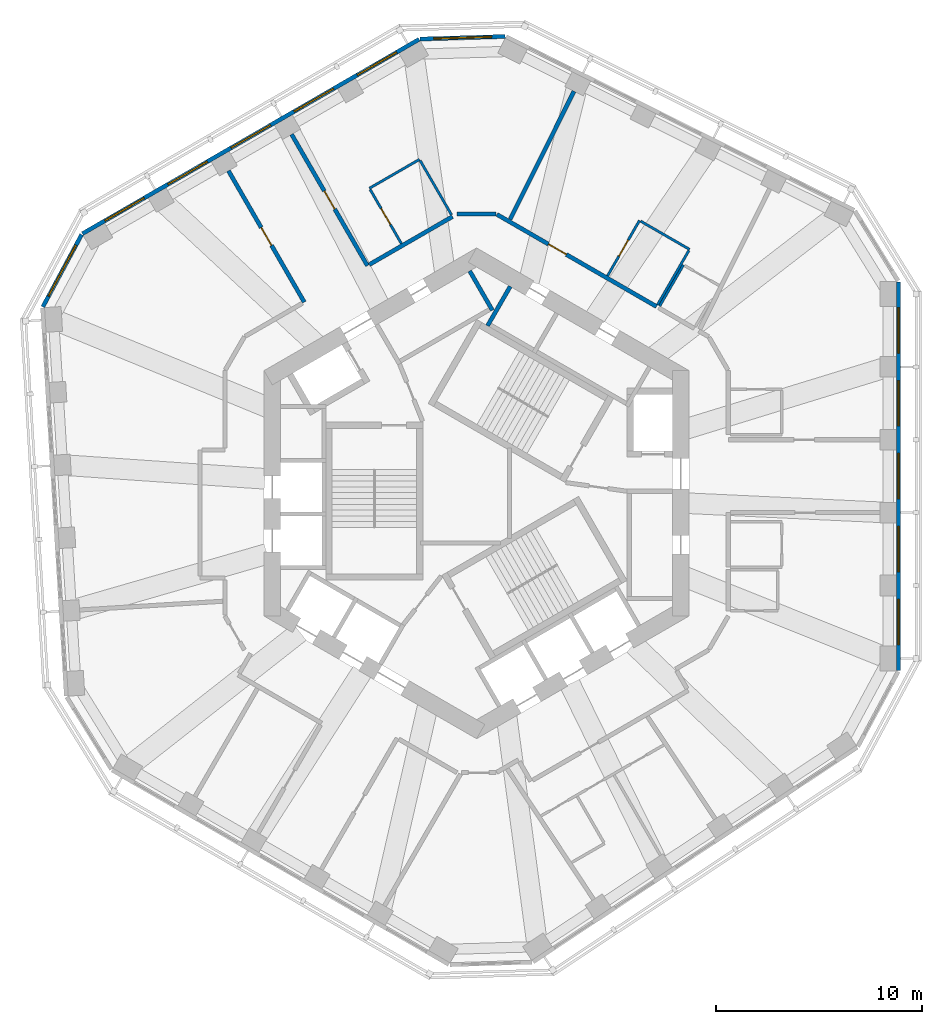
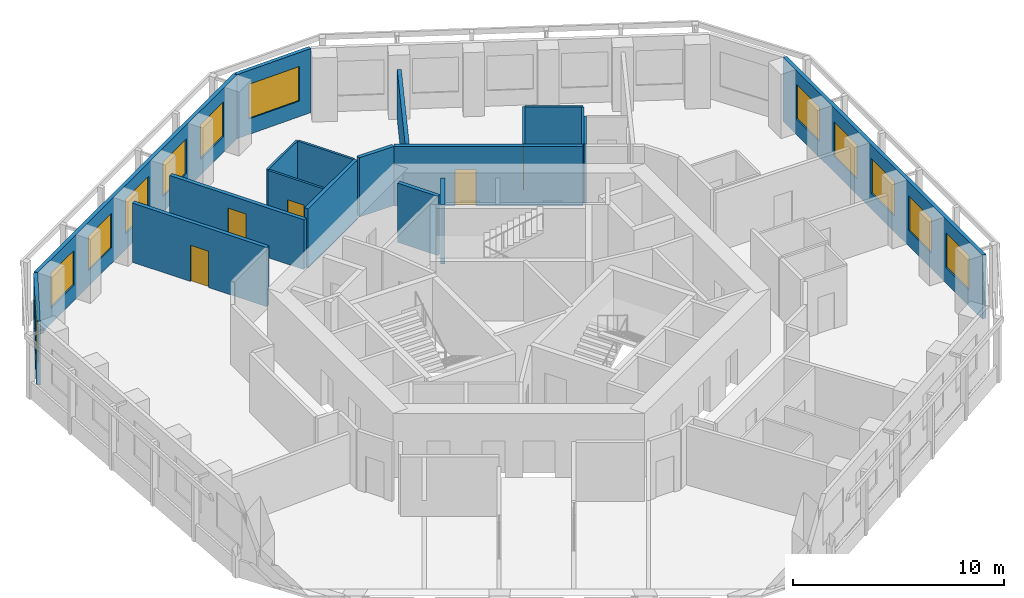
# One storey, part 7 of 11: 19 walls, 12 windows, 5 doors, 17 openings.
"""IFC4 building model written with IfcOpenShell, lengths in metres."""

from ifc_helpers import new_model, si_unit, direction, frame, frame_2d, origin, place, context, subcontext, project, spatial, rectangle, extrude, material, layer, layer_set, type_object, element, fill, save


model = new_model("IFC4")

# Units and contexts
model_context = context("Model", 3, precision=1e-05, world=origin(), true_north=direction((0.0, 1.0)))
body_context = subcontext(model_context, "Body", "Model", "MODEL_VIEW")
ifc_project = project(units=[si_unit("LENGTHUNIT", "METRE"), si_unit("AREAUNIT", "SQUARE_METRE"), si_unit("VOLUMEUNIT", "CUBIC_METRE"), si_unit("PLANEANGLEUNIT", "RADIAN"), si_unit("MASSUNIT", "GRAM", prefix="KILO")], contexts=[model_context])

# Site, building, storey
site_placement = place(None, origin())
site = spatial("IfcSite", under=ifc_project, at=site_placement, CompositionType="ELEMENT")
building_placement = place(site_placement, origin())
building = spatial("IfcBuilding", under=site, at=building_placement, Name="Vanh Sen Convention Tower", CompositionType="ELEMENT")
storey_placement = place(building_placement, frame((0.0, 0.0, 225.39990234375)))
storey = spatial("IfcBuildingStorey", under=building, at=storey_placement, Name="L55", CompositionType="ELEMENT", Elevation=225.39990234375)

# Wall
ifc_material_1 = material(Name="Moisture-resistant gypsum board on steel studs", Category="steel")
ifc_layer_1 = layer(ifc_material_1, 0.1201171875)
ifc_layer_set_1 = layer_set([ifc_layer_1], Name="Moisture-resistant gypsum board on steel studs")
wall_type_1 = type_object("IfcWallType", Name="Bathroom partition 120", PredefinedType="PARTITIONING", material=ifc_layer_set_1)
wall_1_placement = place(storey_placement, frame((-5.19140625, 14.78515625, 0.0), z_axis=(0.0, 0.0, 1.0), x_axis=(0.866034573852, 0.49998411664, 0.0)))
element("IfcWall", 1, at=wall_1_placement, inside=storey, type_object=wall_type_1, Name="Bathroom partition 120", PredefinedType="PARTITIONING", context=body_context, shape_type="SweptSolid", body=[
    extrude(rectangle(XDim=2.7998046875, YDim=0.1201171875, at=frame_2d((1.39990234375, 0.0))), origin(), (0.0, 0.0, 1.0), 3.420166015625),
])

# Wall, opening, door
wall_2_placement = place(storey_placement, frame((-3.641357421875, 12.1005859375, 0.0), z_axis=(0.0, 0.0, 1.0), x_axis=(-0.500026023896, 0.86601037836, 0.0)))
wall_2 = element("IfcWall", 2, at=wall_2_placement, inside=storey, type_object=wall_type_1, Name="Bathroom partition 120", PredefinedType="PARTITIONING", context=body_context, shape_type="SweptSolid", body=[
    extrude(rectangle(XDim=3.039794921875, YDim=0.1201171875, at=frame_2d((1.52001953125, 0.0))), origin(), (0.0, 0.0, 1.0), 3.420166015625),
])
opening_1_placement = place(wall_2_placement, frame((1.06982421875, 0.0, 0.0)))
opening_1 = element("IfcOpeningElement", 3, at=opening_1_placement, cuts=wall_2, Name="Opening D52107", PredefinedType="OPENING", context=body_context, shape_type="SweptSolid", body=[
    extrude(rectangle(XDim=0.89990234375, YDim=2.10009765625, at=frame_2d((0.449951171875, 1.050048828125))), frame((0.0, 0.070068359375, 0.0), z_axis=(0.0, -1.0, 0.0), x_axis=(1.0, 0.0, 0.0)), (0.0, 0.0, 1.0), 0.14013671875),
])
ifc_material_2 = material(Name="Laminate door in steel frame", Category="steel")
door_type_1 = type_object("IfcDoorType", Name="Room internal door 900", OperationType="SINGLE_SWING_LEFT", PredefinedType="DOOR", material=ifc_material_2)
door_1_placement = place(opening_1_placement, origin())
door_1 = element("IfcDoor", 4, at=door_1_placement, inside=storey, type_object=door_type_1, Name="Internal room door D52107", OperationType="SINGLE_SWING_LEFT", OverallHeight=2.10009765625, OverallWidth=0.89990234375, PredefinedType="DOOR", context=body_context, shape_type="SweptSolid", body=[
    extrude(rectangle(XDim=0.89990234375, YDim=2.10009765625, at=frame_2d((0.449951171875, 1.050048828125))), frame((0.0, 0.02490234375, 0.0), z_axis=(0.0, -1.0, 0.0), x_axis=(1.0, 0.0, 0.0)), (0.0, 0.0, 1.0), 0.050048828125),
])
fill(opening_1, door_1)

# Wall
wall_3_placement = place(storey_placement, frame((-2.736572265625, 16.133056640625, 0.0), z_axis=(0.0, 0.0, 1.0), x_axis=(0.500026023896, -0.86601037836, 0.0)))
element("IfcWall", 5, at=wall_3_placement, inside=storey, type_object=wall_type_1, Name="Bathroom partition 120", PredefinedType="PARTITIONING", context=body_context, shape_type="SweptSolid", body=[
    extrude(rectangle(XDim=3.039794921875, YDim=0.1201171875, at=frame_2d((1.52001953125, 0.0))), origin(), (0.0, 0.0, 1.0), 3.420166015625),
])

# Wall, opening, door
wall_4_placement = place(storey_placement, frame((6.3466796875, 10.53857421875, 0.0), z_axis=(0.0, 0.0, 1.0), x_axis=(0.499933790963, 0.866063626216, 0.0)))
wall_4 = element("IfcWall", 6, at=wall_4_placement, inside=storey, type_object=wall_type_1, Name="Bathroom partition 120", PredefinedType="PARTITIONING", context=body_context, shape_type="SweptSolid", body=[
    extrude(rectangle(XDim=3.10009765625, YDim=0.1201171875, at=frame_2d((1.550048828125, 0.0))), origin(), (0.0, 0.0, 1.0), 3.420166015625),
])
opening_2_placement = place(wall_4_placement, frame((1.10009765625, 0.0, 0.0)))
opening_2 = element("IfcOpeningElement", 7, at=opening_2_placement, cuts=wall_4, Name="Opening D52105", PredefinedType="OPENING", context=body_context, shape_type="SweptSolid", body=[
    extrude(rectangle(XDim=0.89990234375, YDim=2.10009765625, at=frame_2d((0.449951171875, 1.050048828125))), frame((0.0, 0.070068359375, 0.0), z_axis=(0.0, -1.0, 0.0), x_axis=(1.0, 0.0, 0.0)), (0.0, 0.0, 1.0), 0.14013671875),
])
door_2_placement = place(opening_2_placement, origin())
door_2 = element("IfcDoor", 8, at=door_2_placement, inside=storey, type_object=door_type_1, Name="Internal room door D52105", OperationType="SINGLE_SWING_LEFT", OverallHeight=2.10009765625, OverallWidth=0.89990234375, PredefinedType="DOOR", context=body_context, shape_type="SweptSolid", body=[
    extrude(rectangle(XDim=0.89990234375, YDim=2.10009765625, at=frame_2d((0.449951171875, 1.050048828125))), frame((0.0, 0.02490234375, 0.0), z_axis=(0.0, -1.0, 0.0), x_axis=(1.0, 0.0, 0.0)), (0.0, 0.0, 1.0), 0.050048828125),
])
fill(opening_2, door_2)

# Walls
wall_5_placement = place(storey_placement, frame((7.948486328125, 13.193359375, 0.0), z_axis=(0.0, 0.0, 1.0), x_axis=(0.866019409031, -0.500010383074, 0.0)))
element("IfcWall", 9, at=wall_5_placement, inside=storey, type_object=wall_type_1, Name="Bathroom partition 120", PredefinedType="PARTITIONING", context=body_context, shape_type="SweptSolid", body=[
    extrude(rectangle(XDim=2.740234375, YDim=0.1201171875, at=frame_2d((1.3701171875, 0.0))), origin(), (0.0, 0.0, 1.0), 3.420166015625),
])
wall_6_placement = place(storey_placement, frame((8.87548828125, 9.07861328125, 0.0), z_axis=(0.0, 0.0, 1.0), x_axis=(0.499998129301, 0.86602648383, 0.0)))
element("IfcWall", 10, at=wall_6_placement, inside=storey, type_object=wall_type_1, Name="Bathroom partition 120", PredefinedType="PARTITIONING", context=body_context, shape_type="SweptSolid", body=[
    extrude(rectangle(XDim=2.2998046875, YDim=0.1201171875, at=frame_2d((1.14990234375, 0.0))), origin(), (0.0, 0.0, 1.0), 3.420166015625),
])
wall_7_placement = place(storey_placement, frame((10.29150390625, 11.771240234375, 0.0), z_axis=(0.0, 0.0, 1.0), x_axis=(-0.500026023896, -0.86601037836, 0.0)))
element("IfcWall", 11, at=wall_7_placement, inside=storey, type_object=wall_type_1, Name="Bathroom partition 120", PredefinedType="PARTITIONING", context=body_context, shape_type="SweptSolid", body=[
    extrude(rectangle(XDim=3.039794921875, YDim=0.1201171875, at=frame_2d((1.52001953125, 0.0))), origin(), (0.0, 0.0, 1.0), 3.420166015625),
])

# Wall, opening, door
ifc_material_3 = material(Name="Gypsum board on steel studs with mineral wool", Category="steel")
ifc_layer_2 = layer(ifc_material_3, 0.199951171875)
ifc_layer_set_2 = layer_set([ifc_layer_2], Name="Gypsum board on steel studs with mineral wool")
wall_type_2 = type_object("IfcWallType", Name="Corridor partition wall 200", PredefinedType="PARTITIONING", material=ifc_layer_set_2)
wall_8_placement = place(storey_placement, frame((-12.02490234375, 15.6318359375, 0.0), z_axis=(0.0, 0.0, 1.0), x_axis=(0.499983153418, -0.866035129944, 0.0)))
wall_8 = element("IfcWall", 12, at=wall_8_placement, inside=storey, type_object=wall_type_2, Name="Corridor partition wall 200", PredefinedType="PARTITIONING", context=body_context, shape_type="SweptSolid", body=[
    extrude(rectangle(XDim=7.349853515625, YDim=0.199951171875, at=frame_2d((3.6748046875, 0.0))), origin(), (0.0, 0.0, 1.0), 3.420166015625),
])
opening_3_placement = place(wall_8_placement, frame((3.175048828125, 0.0, 0.0)))
opening_3 = element("IfcOpeningElement", 13, at=opening_3_placement, cuts=wall_8, Name="Opening D52108", PredefinedType="OPENING", context=body_context, shape_type="SweptSolid", body=[
    extrude(rectangle(XDim=1.0, YDim=2.10009765625, at=frame_2d((0.5, 1.050048828125))), frame((0.0, 0.10986328125, 0.0), z_axis=(0.0, -1.0, 0.0), x_axis=(1.0, 0.0, 0.0)), (0.0, 0.0, 1.0), 0.219970703125),
])
ifc_material_4 = material(Name="Timber fire door in steel frame", Category="steel")
door_type_2 = type_object("IfcDoorType", Name="Floor room door 1000", OperationType="SINGLE_SWING_LEFT", PredefinedType="DOOR", material=ifc_material_4)
door_3_placement = place(opening_3_placement, origin())
door_3 = element("IfcDoor", 14, at=door_3_placement, inside=storey, type_object=door_type_2, Name="Meeting and amenity room door D52108", OperationType="SINGLE_SWING_LEFT", OverallHeight=2.10009765625, OverallWidth=1.0, PredefinedType="DOOR", context=body_context, shape_type="SweptSolid", body=[
    extrude(rectangle(XDim=1.0, YDim=2.10009765625, at=frame_2d((0.5, 1.050048828125))), frame((0.0, 0.02490234375, 0.0), z_axis=(0.0, -1.0, 0.0), x_axis=(1.0, 0.0, 0.0)), (0.0, 0.0, 1.0), 0.050048828125),
])
fill(opening_3, door_3)

wall_9_placement = place(storey_placement, frame((-8.96484375, 17.398681640625, 0.0), z_axis=(0.0, 0.0, 1.0), x_axis=(0.499993683172, -0.866029050776, 0.0)))
wall_9 = element("IfcWall", 15, at=wall_9_placement, inside=storey, type_object=wall_type_2, Name="Corridor partition wall 200", PredefinedType="PARTITIONING", context=body_context, shape_type="SweptSolid", body=[
    extrude(rectangle(XDim=7.35009765625, YDim=0.199951171875, at=frame_2d((3.675048828125, 0.0))), origin(), (0.0, 0.0, 1.0), 2.8701171875),
])
opening_4_placement = place(wall_9_placement, frame((3.175048828125, 0.0, 0.0)))
opening_4 = element("IfcOpeningElement", 16, at=opening_4_placement, cuts=wall_9, Name="Opening D52106", PredefinedType="OPENING", context=body_context, shape_type="SweptSolid", body=[
    extrude(rectangle(XDim=1.0, YDim=2.10009765625, at=frame_2d((0.5, 1.050048828125))), frame((0.0, 0.10986328125, 0.0), z_axis=(0.0, -1.0, 0.0), x_axis=(1.0, 0.0, 0.0)), (0.0, 0.0, 1.0), 0.219970703125),
])
ifc_material_5 = material(Name="Glazed fire door in steel frame", Category="steel")
door_type_3 = type_object("IfcDoorType", Name="Tenant entrance door 1000", OperationType="SINGLE_SWING_LEFT", PredefinedType="DOOR", material=ifc_material_5)
door_4_placement = place(opening_4_placement, origin())
door_4 = element("IfcDoor", 17, at=door_4_placement, inside=storey, type_object=door_type_3, Name="Tenant suite entrance door D52106", OperationType="SINGLE_SWING_LEFT", OverallHeight=2.10009765625, OverallWidth=1.0, PredefinedType="DOOR", context=body_context, shape_type="SweptSolid", body=[
    extrude(rectangle(XDim=1.0, YDim=2.10009765625, at=frame_2d((0.5, 1.050048828125))), frame((0.0, 0.02490234375, 0.0), z_axis=(0.0, -1.0, 0.0), x_axis=(1.0, 0.0, 0.0)), (0.0, 0.0, 1.0), 0.050048828125),
])
fill(opening_4, door_4)

# Walls
wall_10_placement = place(storey_placement, frame((-1.16650390625, 13.413818359375, 0.0), z_axis=(0.0, 0.0, 1.0), x_axis=(-0.866023347809, -0.500003561037, 0.0)))
element("IfcWall", 18, at=wall_10_placement, inside=storey, type_object=wall_type_2, Name="Corridor partition wall 200", PredefinedType="PARTITIONING", context=body_context, shape_type="SweptSolid", body=[
    extrude(rectangle(XDim=4.6611328125, YDim=0.199951171875, at=frame_2d((2.33056640625, 0.0))), origin(), (0.0, 0.0, 1.0), 3.420166015625),
])
wall_11_placement = place(storey_placement, frame((0.949951171875, 13.538818359375, 0.0), z_axis=(0.0, 0.0, 1.0), x_axis=(-1.0, 0.0, 0.0)))
element("IfcWall", 19, at=wall_11_placement, inside=storey, type_object=wall_type_2, Name="Corridor partition wall 200", PredefinedType="PARTITIONING", context=body_context, shape_type="SweptSolid", body=[
    extrude(rectangle(XDim=1.89990234375, YDim=0.199951171875, at=frame_2d((0.949951171875, 0.0))), origin(), (0.0, 0.0, 1.0), 3.420166015625),
])

# Wall, opening, door
wall_12_placement = place(storey_placement, frame((8.721435546875, 9.052001953125, 0.0), z_axis=(0.0, 0.0, 1.0), x_axis=(-0.866028125821, 0.499995285264, 0.0)))
wall_12 = element("IfcWall", 20, at=wall_12_placement, inside=storey, type_object=wall_type_2, Name="Corridor partition wall 200", PredefinedType="PARTITIONING", context=body_context, shape_type="SweptSolid", body=[
    extrude(rectangle(XDim=8.93359375, YDim=0.199951171875, at=frame_2d((4.466796875, 0.0))), origin(), (0.0, 0.0, 1.0), 3.420166015625),
])
opening_5_placement = place(wall_12_placement, frame((5.05029296875, 0.0, 0.0)))
opening_5 = element("IfcOpeningElement", 21, at=opening_5_placement, cuts=wall_12, Name="Opening D52103", PredefinedType="OPENING", context=body_context, shape_type="SweptSolid", body=[
    extrude(rectangle(XDim=1.0, YDim=2.10009765625, at=frame_2d((0.5, 1.050048828125))), frame((0.0, 0.10986328125, 0.0), z_axis=(0.0, -1.0, 0.0), x_axis=(1.0, 0.0, 0.0)), (0.0, 0.0, 1.0), 0.219970703125),
])
door_5_placement = place(opening_5_placement, origin())
door_5 = element("IfcDoor", 22, at=door_5_placement, inside=storey, type_object=door_type_3, Name="Tenant suite entrance door D52103", OperationType="SINGLE_SWING_LEFT", OverallHeight=2.10009765625, OverallWidth=1.0, PredefinedType="DOOR", context=body_context, shape_type="SweptSolid", body=[
    extrude(rectangle(XDim=1.0, YDim=2.10009765625, at=frame_2d((0.5, 1.050048828125))), frame((0.0, 0.02490234375, 0.0), z_axis=(0.0, -1.0, 0.0), x_axis=(1.0, 0.0, 0.0)), (0.0, 0.0, 1.0), 0.050048828125),
])
fill(opening_5, door_5)

# Wall, openings, windows
ifc_material_6 = material(Name="Insulated lightweight infill wall")
ifc_layer_3 = layer(ifc_material_6, 0.199951171875)
ifc_layer_set_3 = layer_set([ifc_layer_3], Name="Insulated lightweight infill wall")
wall_type_3 = type_object("IfcWallType", Name="External wall 200", PredefinedType="STANDARD", material=ifc_layer_set_3)
wall_13_placement = place(storey_placement, frame((20.449951171875, -8.590087890625, 0.0), z_axis=(0.0, 0.0, 1.0), x_axis=(0.0, 1.0, 0.0)))
wall_13 = element("IfcWall", 23, at=wall_13_placement, inside=storey, type_object=wall_type_3, Name="External wall E L55", PredefinedType="STANDARD", context=body_context, shape_type="SweptSolid", body=[
    extrude(rectangle(XDim=18.84130859375, YDim=0.199951171875, at=frame_2d((9.420654296875, 0.0))), origin(), (0.0, 0.0, 1.0), 3.7001953125),
])
opening_6_placement = place(wall_13_placement, frame((1.254150390625, 0.0, 0.89990234375)))
opening_6 = element("IfcOpeningElement", 24, at=opening_6_placement, cuts=wall_13, Name="Opening WO3-E1", PredefinedType="OPENING", context=body_context, shape_type="SweptSolid", body=[
    extrude(rectangle(XDim=2.199951171875, YDim=2.0, at=frame_2d((1.10009765625, 1.0))), frame((0.0, 0.10986328125, 0.0), z_axis=(0.0, -1.0, 0.0), x_axis=(1.0, 0.0, 0.0)), (0.0, 0.0, 1.0), 0.219970703125),
])
opening_7_placement = place(wall_13_placement, frame((4.787841796875, 0.0, 0.89990234375)))
opening_7 = element("IfcOpeningElement", 25, at=opening_7_placement, cuts=wall_13, Name="Opening WO3-E2", PredefinedType="OPENING", context=body_context, shape_type="SweptSolid", body=[
    extrude(rectangle(XDim=2.199951171875, YDim=2.0, at=frame_2d((1.10009765625, 1.0))), frame((0.0, 0.10986328125, 0.0), z_axis=(0.0, -1.0, 0.0), x_axis=(1.0, 0.0, 0.0)), (0.0, 0.0, 1.0), 0.219970703125),
])
opening_8_placement = place(wall_13_placement, frame((8.321533203125, 0.0, 0.89990234375)))
opening_8 = element("IfcOpeningElement", 26, at=opening_8_placement, cuts=wall_13, Name="Opening WO3-E3", PredefinedType="OPENING", context=body_context, shape_type="SweptSolid", body=[
    extrude(rectangle(XDim=2.199951171875, YDim=2.0, at=frame_2d((1.10009765625, 1.0))), frame((0.0, 0.10986328125, 0.0), z_axis=(0.0, -1.0, 0.0), x_axis=(1.0, 0.0, 0.0)), (0.0, 0.0, 1.0), 0.219970703125),
])
opening_9_placement = place(wall_13_placement, frame((11.85498046875, 0.0, 0.89990234375)))
opening_9 = element("IfcOpeningElement", 27, at=opening_9_placement, cuts=wall_13, Name="Opening WO3-E4", PredefinedType="OPENING", context=body_context, shape_type="SweptSolid", body=[
    extrude(rectangle(XDim=2.199951171875, YDim=2.0, at=frame_2d((1.10009765625, 1.0))), frame((0.0, 0.10986328125, 0.0), z_axis=(0.0, -1.0, 0.0), x_axis=(1.0, 0.0, 0.0)), (0.0, 0.0, 1.0), 0.219970703125),
])
opening_10_placement = place(wall_13_placement, frame((15.388671875, 0.0, 0.89990234375)))
opening_10 = element("IfcOpeningElement", 28, at=opening_10_placement, cuts=wall_13, Name="Opening WO3-E5", PredefinedType="OPENING", context=body_context, shape_type="SweptSolid", body=[
    extrude(rectangle(XDim=2.199951171875, YDim=2.0, at=frame_2d((1.10009765625, 1.0))), frame((0.0, 0.10986328125, 0.0), z_axis=(0.0, -1.0, 0.0), x_axis=(1.0, 0.0, 0.0)), (0.0, 0.0, 1.0), 0.219970703125),
])
ifc_material_7 = material(Name="Aluminium frame with clear low-emissivity glass", Category="aluminium")
window_type_1 = type_object("IfcWindowType", Name="Office window 2200 x 2000", PartitioningType="SINGLE_PANEL", PredefinedType="WINDOW", material=ifc_material_7)
window_1_placement = place(opening_6_placement, origin())
window_1 = element("IfcWindow", 29, at=window_1_placement, inside=storey, type_object=window_type_1, Name="Window WO3-E1", OverallHeight=2.0, OverallWidth=2.199951171875, PartitioningType="SINGLE_PANEL", PredefinedType="WINDOW", context=body_context, shape_type="SweptSolid", body=[
    extrude(rectangle(XDim=2.199951171875, YDim=2.0, at=frame_2d((1.10009765625, 1.0))), frame((0.0, 0.030029296875, 0.0), z_axis=(0.0, -1.0, 0.0), x_axis=(1.0, 0.0, 0.0)), (0.0, 0.0, 1.0), 0.06005859375),
])
fill(opening_6, window_1)
window_2_placement = place(opening_7_placement, origin())
window_2 = element("IfcWindow", 30, at=window_2_placement, inside=storey, type_object=window_type_1, Name="Window WO3-E2", OverallHeight=2.0, OverallWidth=2.199951171875, PartitioningType="SINGLE_PANEL", PredefinedType="WINDOW", context=body_context, shape_type="SweptSolid", body=[
    extrude(rectangle(XDim=2.199951171875, YDim=2.0, at=frame_2d((1.10009765625, 1.0))), frame((0.0, 0.030029296875, 0.0), z_axis=(0.0, -1.0, 0.0), x_axis=(1.0, 0.0, 0.0)), (0.0, 0.0, 1.0), 0.06005859375),
])
fill(opening_7, window_2)
window_3_placement = place(opening_8_placement, origin())
window_3 = element("IfcWindow", 31, at=window_3_placement, inside=storey, type_object=window_type_1, Name="Window WO3-E3", OverallHeight=2.0, OverallWidth=2.199951171875, PartitioningType="SINGLE_PANEL", PredefinedType="WINDOW", context=body_context, shape_type="SweptSolid", body=[
    extrude(rectangle(XDim=2.199951171875, YDim=2.0, at=frame_2d((1.10009765625, 1.0))), frame((0.0, 0.030029296875, 0.0), z_axis=(0.0, -1.0, 0.0), x_axis=(1.0, 0.0, 0.0)), (0.0, 0.0, 1.0), 0.06005859375),
])
fill(opening_8, window_3)
window_4_placement = place(opening_9_placement, origin())
window_4 = element("IfcWindow", 32, at=window_4_placement, inside=storey, type_object=window_type_1, Name="Window WO3-E4", OverallHeight=2.0, OverallWidth=2.199951171875, PartitioningType="SINGLE_PANEL", PredefinedType="WINDOW", context=body_context, shape_type="SweptSolid", body=[
    extrude(rectangle(XDim=2.199951171875, YDim=2.0, at=frame_2d((1.10009765625, 1.0))), frame((0.0, 0.030029296875, 0.0), z_axis=(0.0, -1.0, 0.0), x_axis=(1.0, 0.0, 0.0)), (0.0, 0.0, 1.0), 0.06005859375),
])
fill(opening_9, window_4)
window_5_placement = place(opening_10_placement, origin())
window_5 = element("IfcWindow", 33, at=window_5_placement, inside=storey, type_object=window_type_1, Name="Window WO3-E5", OverallHeight=2.0, OverallWidth=2.199951171875, PartitioningType="SINGLE_PANEL", PredefinedType="WINDOW", context=body_context, shape_type="SweptSolid", body=[
    extrude(rectangle(XDim=2.199951171875, YDim=2.0, at=frame_2d((1.10009765625, 1.0))), frame((0.0, 0.030029296875, 0.0), z_axis=(0.0, -1.0, 0.0), x_axis=(1.0, 0.0, 0.0)), (0.0, 0.0, 1.0), 0.06005859375),
])
fill(opening_10, window_5)

# Wall, opening, window
wall_14_placement = place(storey_placement, frame((1.389404296875, 22.144775390625, 0.0), z_axis=(0.0, 0.0, 1.0), x_axis=(-0.999534702881, -0.030502093955, 0.0)))
wall_14 = element("IfcWall", 34, at=wall_14_placement, inside=storey, type_object=wall_type_3, Name="External wall CH2 L55", PredefinedType="STANDARD", context=body_context, shape_type="SweptSolid", body=[
    extrude(rectangle(XDim=4.130126953125, YDim=0.199951171875, at=frame_2d((2.06494140625, 0.0))), origin(), (0.0, 0.0, 1.0), 3.7001953125),
])
opening_11_placement = place(wall_14_placement, frame((0.6650390625, 0.0, 0.89990234375)))
opening_11 = element("IfcOpeningElement", 35, at=opening_11_placement, cuts=wall_14, Name="Opening WO4-CH21", PredefinedType="OPENING", context=body_context, shape_type="SweptSolid", body=[
    extrude(rectangle(XDim=2.800048828125, YDim=2.0, at=frame_2d((1.39990234375, 1.0))), frame((0.0, 0.10986328125, 0.0), z_axis=(0.0, -1.0, 0.0), x_axis=(1.0, 0.0, 0.0)), (0.0, 0.0, 1.0), 0.219970703125),
])
window_type_2 = type_object("IfcWindowType", Name="Office window 2800 x 2000", PartitioningType="SINGLE_PANEL", PredefinedType="WINDOW", material=ifc_material_7)
window_6_placement = place(opening_11_placement, origin())
window_6 = element("IfcWindow", 36, at=window_6_placement, inside=storey, type_object=window_type_2, Name="Window WO4-CH21", OverallHeight=2.0, OverallWidth=2.800048828125, PartitioningType="SINGLE_PANEL", PredefinedType="WINDOW", context=body_context, shape_type="SweptSolid", body=[
    extrude(rectangle(XDim=2.800048828125, YDim=2.0, at=frame_2d((1.39990234375, 1.0))), frame((0.0, 0.030029296875, 0.0), z_axis=(0.0, -1.0, 0.0), x_axis=(1.0, 0.0, 0.0)), (0.0, 0.0, 1.0), 0.06005859375),
])
fill(opening_11, window_6)

# Wall, openings, windows
wall_15_placement = place(storey_placement, frame((-2.78564453125, 22.00537109375, 0.0), z_axis=(0.0, 0.0, 1.0), x_axis=(-0.866026555358, -0.49999800541, 0.0)))
wall_15 = element("IfcWall", 37, at=wall_15_placement, inside=storey, type_object=wall_type_3, Name="External wall NW L55", PredefinedType="STANDARD", context=body_context, shape_type="SweptSolid", body=[
    extrude(rectangle(XDim=18.84130859375, YDim=0.199951171875, at=frame_2d((9.420654296875, 0.0))), origin(), (0.0, 0.0, 1.0), 3.7001953125),
])
opening_12_placement = place(wall_15_placement, frame((1.254150390625, 0.0, 0.89990234375)))
opening_12 = element("IfcOpeningElement", 38, at=opening_12_placement, cuts=wall_15, Name="Opening WO3-NW1", PredefinedType="OPENING", context=body_context, shape_type="SweptSolid", body=[
    extrude(rectangle(XDim=2.199951171875, YDim=2.0, at=frame_2d((1.10009765625, 1.0))), frame((0.0, 0.10986328125, 0.0), z_axis=(0.0, -1.0, 0.0), x_axis=(1.0, 0.0, 0.0)), (0.0, 0.0, 1.0), 0.219970703125),
])
opening_13_placement = place(wall_15_placement, frame((4.787841796875, 0.0, 0.89990234375)))
opening_13 = element("IfcOpeningElement", 39, at=opening_13_placement, cuts=wall_15, Name="Opening WO3-NW2", PredefinedType="OPENING", context=body_context, shape_type="SweptSolid", body=[
    extrude(rectangle(XDim=2.199951171875, YDim=2.0, at=frame_2d((1.10009765625, 1.0))), frame((0.0, 0.10986328125, 0.0), z_axis=(0.0, -1.0, 0.0), x_axis=(1.0, 0.0, 0.0)), (0.0, 0.0, 1.0), 0.219970703125),
])
opening_14_placement = place(wall_15_placement, frame((8.3212890625, 0.0, 0.89990234375)))
opening_14 = element("IfcOpeningElement", 40, at=opening_14_placement, cuts=wall_15, Name="Opening WO3-NW3", PredefinedType="OPENING", context=body_context, shape_type="SweptSolid", body=[
    extrude(rectangle(XDim=2.199951171875, YDim=2.0, at=frame_2d((1.10009765625, 1.0))), frame((0.0, 0.10986328125, 0.0), z_axis=(0.0, -1.0, 0.0), x_axis=(1.0, 0.0, 0.0)), (0.0, 0.0, 1.0), 0.219970703125),
])
opening_15_placement = place(wall_15_placement, frame((11.85498046875, 0.0, 0.89990234375)))
opening_15 = element("IfcOpeningElement", 41, at=opening_15_placement, cuts=wall_15, Name="Opening WO3-NW4", PredefinedType="OPENING", context=body_context, shape_type="SweptSolid", body=[
    extrude(rectangle(XDim=2.199951171875, YDim=2.0, at=frame_2d((1.10009765625, 1.0))), frame((0.0, 0.10986328125, 0.0), z_axis=(0.0, -1.0, 0.0), x_axis=(1.0, 0.0, 0.0)), (0.0, 0.0, 1.0), 0.219970703125),
])
opening_16_placement = place(wall_15_placement, frame((15.388671875, 0.0, 0.89990234375)))
opening_16 = element("IfcOpeningElement", 42, at=opening_16_placement, cuts=wall_15, Name="Opening WO3-NW5", PredefinedType="OPENING", context=body_context, shape_type="SweptSolid", body=[
    extrude(rectangle(XDim=2.199951171875, YDim=2.0, at=frame_2d((1.10009765625, 1.0))), frame((0.0, 0.10986328125, 0.0), z_axis=(0.0, -1.0, 0.0), x_axis=(1.0, 0.0, 0.0)), (0.0, 0.0, 1.0), 0.219970703125),
])
window_7_placement = place(opening_12_placement, origin())
window_7 = element("IfcWindow", 43, at=window_7_placement, inside=storey, type_object=window_type_1, Name="Window WO3-NW1", OverallHeight=2.0, OverallWidth=2.199951171875, PartitioningType="SINGLE_PANEL", PredefinedType="WINDOW", context=body_context, shape_type="SweptSolid", body=[
    extrude(rectangle(XDim=2.199951171875, YDim=2.0, at=frame_2d((1.10009765625, 1.0))), frame((0.0, 0.030029296875, 0.0), z_axis=(0.0, -1.0, 0.0), x_axis=(1.0, 0.0, 0.0)), (0.0, 0.0, 1.0), 0.06005859375),
])
fill(opening_12, window_7)
window_8_placement = place(opening_13_placement, origin())
window_8 = element("IfcWindow", 44, at=window_8_placement, inside=storey, type_object=window_type_1, Name="Window WO3-NW2", OverallHeight=2.0, OverallWidth=2.199951171875, PartitioningType="SINGLE_PANEL", PredefinedType="WINDOW", context=body_context, shape_type="SweptSolid", body=[
    extrude(rectangle(XDim=2.199951171875, YDim=2.0, at=frame_2d((1.10009765625, 1.0))), frame((0.0, 0.030029296875, 0.0), z_axis=(0.0, -1.0, 0.0), x_axis=(1.0, 0.0, 0.0)), (0.0, 0.0, 1.0), 0.06005859375),
])
fill(opening_13, window_8)
window_9_placement = place(opening_14_placement, origin())
window_9 = element("IfcWindow", 45, at=window_9_placement, inside=storey, type_object=window_type_1, Name="Window WO3-NW3", OverallHeight=2.0, OverallWidth=2.199951171875, PartitioningType="SINGLE_PANEL", PredefinedType="WINDOW", context=body_context, shape_type="SweptSolid", body=[
    extrude(rectangle(XDim=2.199951171875, YDim=2.0, at=frame_2d((1.10009765625, 1.0))), frame((0.0, 0.030029296875, 0.0), z_axis=(0.0, -1.0, 0.0), x_axis=(1.0, 0.0, 0.0)), (0.0, 0.0, 1.0), 0.06005859375),
])
fill(opening_14, window_9)
window_10_placement = place(opening_15_placement, origin())
window_10 = element("IfcWindow", 46, at=window_10_placement, inside=storey, type_object=window_type_1, Name="Window WO3-NW4", OverallHeight=2.0, OverallWidth=2.199951171875, PartitioningType="SINGLE_PANEL", PredefinedType="WINDOW", context=body_context, shape_type="SweptSolid", body=[
    extrude(rectangle(XDim=2.199951171875, YDim=2.0, at=frame_2d((1.10009765625, 1.0))), frame((0.0, 0.030029296875, 0.0), z_axis=(0.0, -1.0, 0.0), x_axis=(1.0, 0.0, 0.0)), (0.0, 0.0, 1.0), 0.06005859375),
])
fill(opening_15, window_10)
window_11_placement = place(opening_16_placement, origin())
window_11 = element("IfcWindow", 47, at=window_11_placement, inside=storey, type_object=window_type_1, Name="Window WO3-NW5", OverallHeight=2.0, OverallWidth=2.199951171875, PartitioningType="SINGLE_PANEL", PredefinedType="WINDOW", context=body_context, shape_type="SweptSolid", body=[
    extrude(rectangle(XDim=2.199951171875, YDim=2.0, at=frame_2d((1.10009765625, 1.0))), frame((0.0, 0.030029296875, 0.0), z_axis=(0.0, -1.0, 0.0), x_axis=(1.0, 0.0, 0.0)), (0.0, 0.0, 1.0), 0.06005859375),
])
fill(opening_16, window_11)

# Wall, opening, window
wall_16_placement = place(storey_placement, frame((-19.140869140625, 12.54541015625, 0.0), z_axis=(0.0, 0.0, 1.0), x_axis=(-0.473306370921, -0.880897882416, 0.0)))
wall_16 = element("IfcWall", 48, at=wall_16_placement, inside=storey, type_object=wall_type_3, Name="External wall CH3 L55", PredefinedType="STANDARD", context=body_context, shape_type="SweptSolid", body=[
    extrude(rectangle(XDim=3.982666015625, YDim=0.199951171875, at=frame_2d((1.9912109375, 0.0))), origin(), (0.0, 0.0, 1.0), 3.7001953125),
])
opening_17_placement = place(wall_16_placement, frame((0.59130859375, 0.0, 0.89990234375)))
opening_17 = element("IfcOpeningElement", 49, at=opening_17_placement, cuts=wall_16, Name="Opening WO4-CH31", PredefinedType="OPENING", context=body_context, shape_type="SweptSolid", body=[
    extrude(rectangle(XDim=2.800048828125, YDim=2.0, at=frame_2d((1.39990234375, 1.0))), frame((0.0, 0.10986328125, 0.0), z_axis=(0.0, -1.0, 0.0), x_axis=(1.0, 0.0, 0.0)), (0.0, 0.0, 1.0), 0.219970703125),
])
window_12_placement = place(opening_17_placement, origin())
window_12 = element("IfcWindow", 50, at=window_12_placement, inside=storey, type_object=window_type_2, Name="Window WO4-CH31", OverallHeight=2.0, OverallWidth=2.800048828125, PartitioningType="SINGLE_PANEL", PredefinedType="WINDOW", context=body_context, shape_type="SweptSolid", body=[
    extrude(rectangle(XDim=2.800048828125, YDim=2.0, at=frame_2d((1.39990234375, 1.0))), frame((0.0, 0.030029296875, 0.0), z_axis=(0.0, -1.0, 0.0), x_axis=(1.0, 0.0, 0.0)), (0.0, 0.0, 1.0), 0.06005859375),
])
fill(opening_17, window_12)

# Walls
ifc_material_8 = material(Name="Concrete C40/50", Category="concrete")
ifc_layer_4 = layer(ifc_material_8, 0.199951171875)
ifc_layer_set_4 = layer_set([ifc_layer_4], Name="Concrete C40/50")
wall_type_4 = type_object("IfcWallType", Name="Lift shaft wall 200", PredefinedType="PARTITIONING", material=ifc_layer_set_4)
wall_17_placement = place(storey_placement, frame((0.5322265625, 8.1220703125, 0.0), z_axis=(0.0, 0.0, 1.0), x_axis=(0.500077893725, 0.86598042715, 0.0)))
element("IfcWall", 51, at=wall_17_placement, inside=storey, type_object=wall_type_4, Name="Lift shaft wall L55", PredefinedType="PARTITIONING", context=body_context, shape_type="SweptSolid", body=[
    extrude(rectangle(XDim=2.199951171875, YDim=0.199951171875, at=frame_2d((1.10009765625, 0.0))), origin(), (0.0, 0.0, 1.0), 3.420166015625),
])
wall_18_placement = place(storey_placement, frame((0.7666015625, 8.8720703125, 0.0), z_axis=(0.0, 0.0, 1.0), x_axis=(-0.499994660107, 0.866028486751, 0.0)))
element("IfcWall", 52, at=wall_18_placement, inside=storey, type_object=wall_type_4, Name="Lift shaft wall L55", PredefinedType="PARTITIONING", context=body_context, shape_type="SweptSolid", body=[
    extrude(rectangle(XDim=2.19970703125, YDim=0.199951171875, at=frame_2d((1.099853515625, 0.0))), origin(), (0.0, 0.0, 1.0), 3.420166015625),
])
ifc_layer_5 = layer(ifc_material_3, 0.199951171875)
ifc_layer_set_5 = layer_set([ifc_layer_5], Name="Gypsum board on steel studs with mineral wool")
wall_type_5 = type_object("IfcWallType", Name="Tenant suite wall 200", PredefinedType="PARTITIONING", material=ifc_layer_set_5)
wall_19_placement = place(storey_placement, frame((4.723388671875, 19.489990234375, 0.0), z_axis=(0.0, 0.0, 1.0), x_axis=(-0.446186614574, -0.894939944898, 0.0)))
element("IfcWall", 53, at=wall_19_placement, inside=storey, type_object=wall_type_5, Name="Tenant suite wall 200", PredefinedType="PARTITIONING", context=body_context, shape_type="SweptSolid", body=[
    extrude(rectangle(XDim=6.943603515625, YDim=0.199951171875, at=frame_2d((3.4716796875, 0.0))), origin(), (0.0, 0.0, 1.0), 2.8701171875),
])

save(model, "model.ifc")
